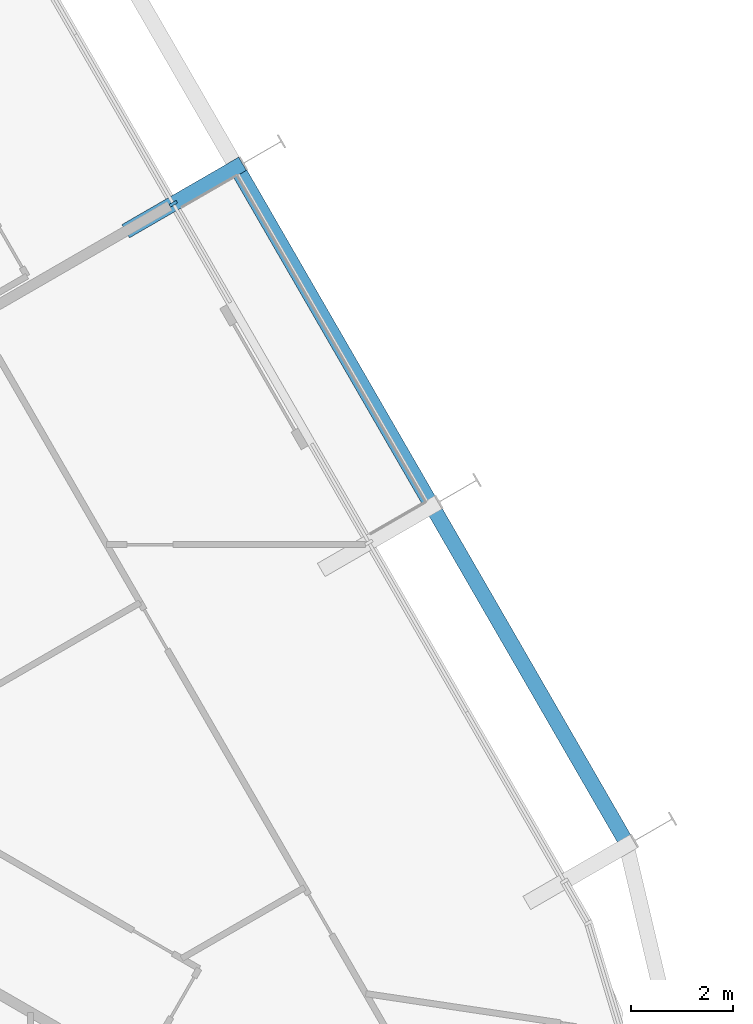
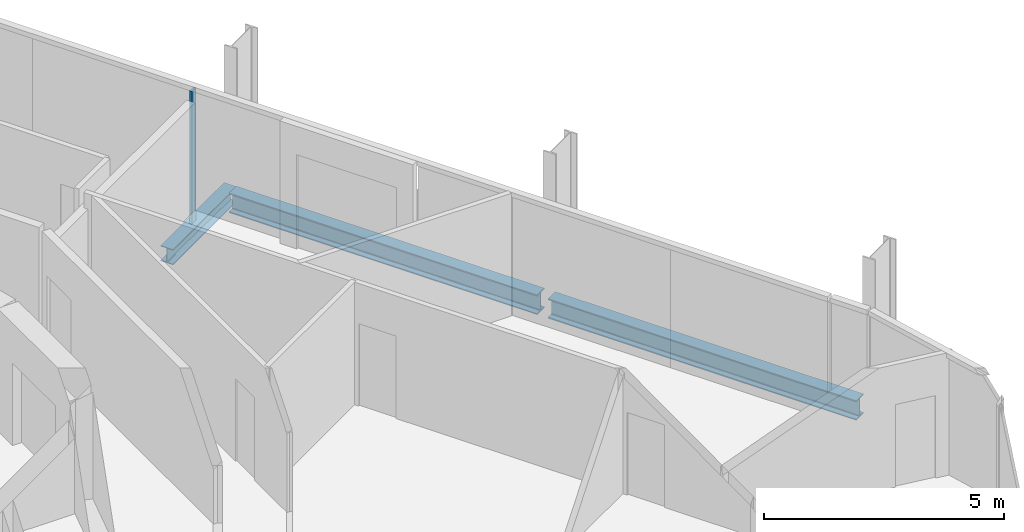
# One storey, part 8 of 19: 3 beams, 1 member, 1 element without a shape of its own.
"""IFC4 building model written with IfcOpenShell, lengths in metres."""

from ifc_helpers import new_model, si_unit, direction, frame, origin, origin_2d, place, context, subcontext, project, spatial, rectangle, i_section, extrude, material, layer, layer_set, material_profile, profile_set, type_object, element, aggregate, save


model = new_model("IFC4")

# Units and contexts
model_context = context("Model", 3, precision=1e-05, world=origin(), true_north=direction((0.0, 1.0)))
body_context = subcontext(model_context, "Body", "Model", "MODEL_VIEW")
ifc_project = project(units=[si_unit("LENGTHUNIT", "METRE"), si_unit("AREAUNIT", "SQUARE_METRE"), si_unit("VOLUMEUNIT", "CUBIC_METRE"), si_unit("PLANEANGLEUNIT", "RADIAN"), si_unit("MASSUNIT", "GRAM", prefix="KILO")], contexts=[model_context])

# Site, building, storey
site_placement = place(None, origin())
site = spatial("IfcSite", under=ifc_project, at=site_placement, CompositionType="ELEMENT")
building_placement = place(site_placement, origin())
building = spatial("IfcBuilding", under=site, at=building_placement, Name="Spindle Arch Residences", CompositionType="ELEMENT")
storey_placement = place(building_placement, frame((0.0, 0.0, 45.39990234375)))
storey = spatial("IfcBuildingStorey", under=building, at=storey_placement, Name="L09", CompositionType="ELEMENT", Elevation=45.39990234375)

# Curtain wall, member
ifc_material_1 = material(Name="Aluminium bronze unitised frame with tinted glass", Category="aluminium")
ifc_layer = layer(ifc_material_1, 0.159912109375)
ifc_layer_set = layer_set([ifc_layer], Name="CW-C typical residential unitised wall")
curtain_wall_type = type_object("IfcCurtainWallType", Name="CW-C typical residential unitised wall", PredefinedType="NOTDEFINED", material=ifc_layer_set)
curtain_wall_placement = place(storey_placement, origin())
curtain_wall = element("IfcCurtainWall", 1, at=curtain_wall_placement, inside=storey, type_object=curtain_wall_type, Name="CW-C L09 run 2", PredefinedType="NOTDEFINED")
ifc_material_2 = material(Name="Aluminium bronze anodised mullion", Category="aluminium")
ifc_material_profile_1 = material_profile(ifc_material_2, rectangle(XDim=0.159912109375, YDim=0.06005859375, at=origin_2d()), Name="MU 60x160")
ifc_profile_set_1 = profile_set([ifc_material_profile_1], Name="Aluminium bronze anodised mullion")
member_type = type_object("IfcMemberType", Name="Bronze mullion 60x160", PredefinedType="MULLION", material=ifc_profile_set_1)
member_placement = place(storey_placement, frame((18.9892578125, 6.529296875, -0.3798828125), z_axis=(0.0, 0.0, 1.0), x_axis=(-0.866025403784, -0.5, 0.0)))
member = element("IfcMember", 2, at=member_placement, type_object=member_type, Name="CW-C mullion 07", PredefinedType="MULLION", context=body_context, shape_type="SweptSolid", body=[
    extrude(rectangle(XDim=0.159912109375, YDim=0.06005859375, at=origin_2d()), origin(), (0.0, 0.0, 1.0), 3.3798828125),
])
aggregate(curtain_wall, [member])

# Beams
ifc_material_3 = material(Name="Steel S460ML, intumescent coating R 120", Category="steel")
ifc_material_profile_2 = material_profile(ifc_material_3, i_section(OverallWidth=0.300048828125, OverallDepth=0.5, WebThickness=0.014404296875, FlangeThickness=0.028076171875, FilletRadius=0.027099609375, at=origin_2d()), Name="HEB 500")
ifc_profile_set_2 = profile_set([ifc_material_profile_2], Name="Steel S460ML, intumescent coating R 120")
beam_type_1 = type_object("IfcBeamType", Name="Exoskeleton edge beam HEB 500", PredefinedType="BEAM", material=ifc_profile_set_2)
for number, where, z_axis, x_axis, name in (
    (3, (27.84521484375, -5.94384765625, -0.6298828125), (-0.49998923004, 0.866031621735, 0.0), (-0.866031621735, -0.49998923004, 0.0), "Exoskeleton edge beam 6"),
    (4, (24.00537109375, 0.707275390625, -0.6298828125), (-0.49998923004, 0.866031621735, 0.0), (-0.866031621735, -0.49998923004, 0.0), "Exoskeleton edge beam 7"),
):
    element("IfcBeam", number, at=place(storey_placement, frame(where, z_axis=z_axis, x_axis=x_axis)), inside=storey, type_object=beam_type_1, Name=name, PredefinedType="BEAM", context=body_context, shape_type="SweptSolid", body=[
        extrude(i_section(OverallWidth=0.300048828125, OverallDepth=0.5, WebThickness=0.014404296875, FlangeThickness=0.028076171875, FilletRadius=0.027099609375, at=origin_2d()), origin(), (0.0, 0.0, 1.0), 7.420166015625),
    ])
ifc_material_4 = material(Name="Steel S460ML, intumescent coating R 120", Category="steel")
ifc_material_profile_3 = material_profile(ifc_material_4, i_section(OverallWidth=0.300048828125, OverallDepth=0.389892578125, WebThickness=0.010986328125, FlangeThickness=0.01904296875, FilletRadius=0.027099609375, at=origin_2d()), Name="HEA 400")
ifc_profile_set_3 = profile_set([ifc_material_profile_3], Name="Steel S460ML, intumescent coating R 120")
beam_type_2 = type_object("IfcBeamType", Name="Floor outrigger HEA 400", PredefinedType="BEAM", material=ifc_profile_set_3)
beam_placement = place(storey_placement, frame((20.34912109375, 7.314453125, -0.574951171875), z_axis=(-0.866052124492, -0.499953715521, 0.0), x_axis=(0.499953715521, -0.866052124492, 0.0)))
element("IfcBeam", 5, at=beam_placement, inside=storey, type_object=beam_type_2, Name="Floor outrigger 8", PredefinedType="BEAM", context=body_context, shape_type="SweptSolid", body=[
    extrude(i_section(OverallWidth=0.300048828125, OverallDepth=0.389892578125, WebThickness=0.010986328125, FlangeThickness=0.01904296875, FilletRadius=0.027099609375, at=origin_2d()), origin(), (0.0, 0.0, 1.0), 2.650146484375),
])

save(model, "model.ifc")
